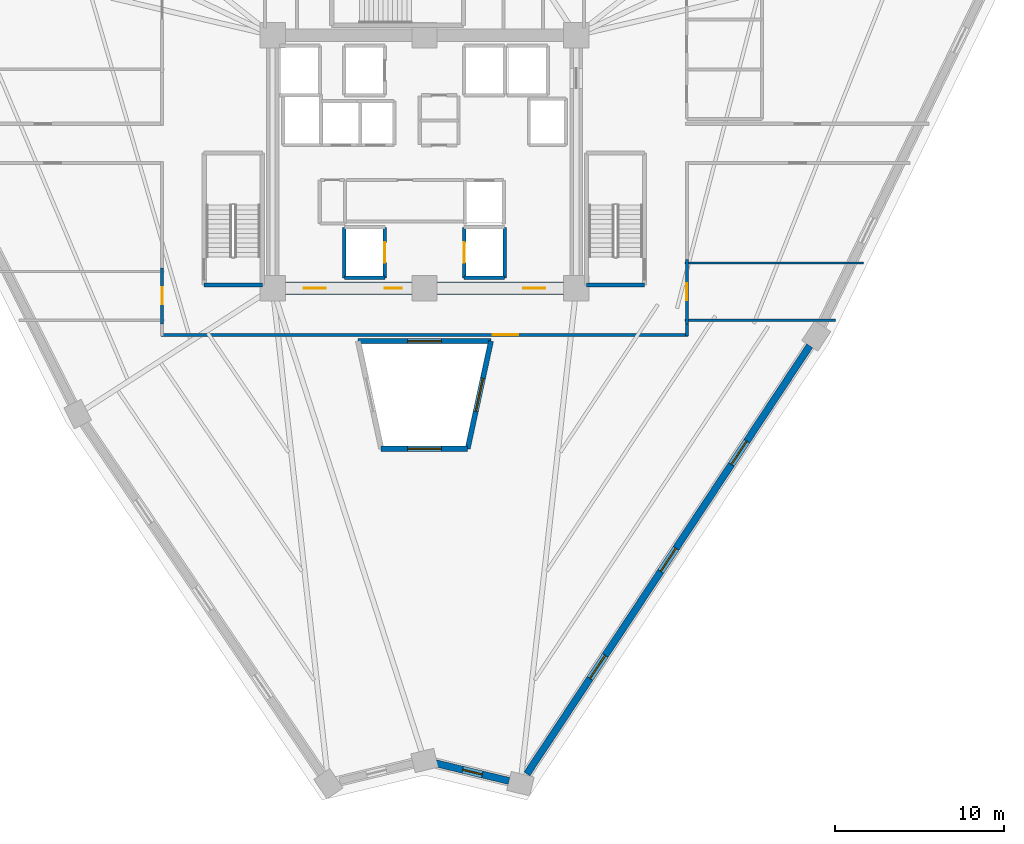
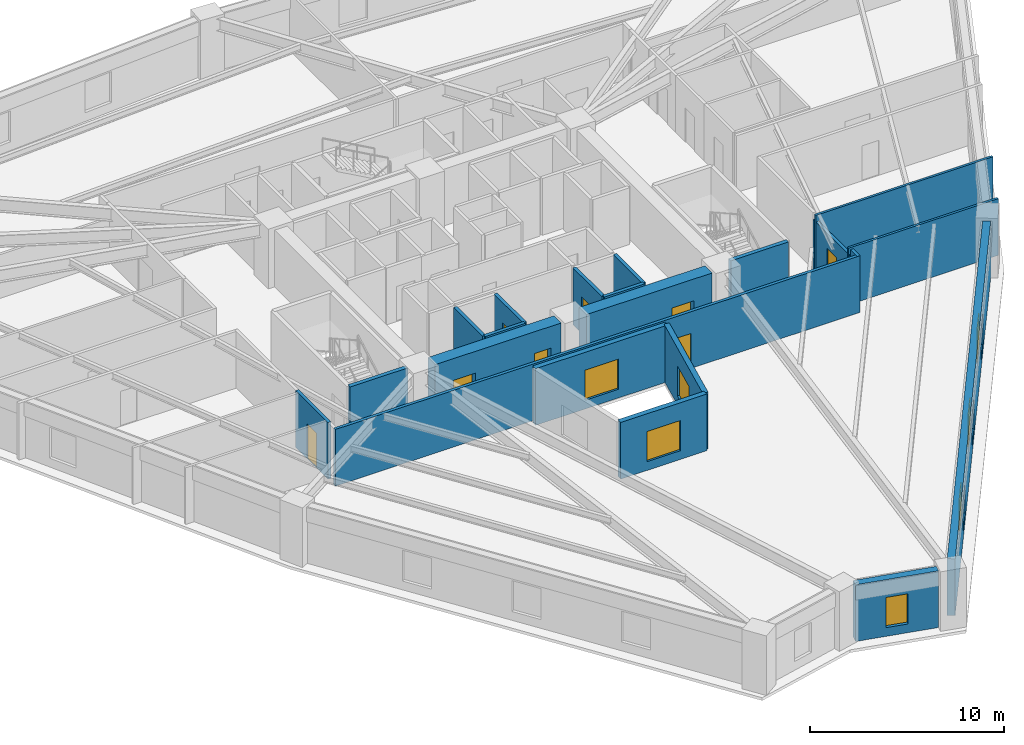
# One storey, part 3 of 8: 21 walls, 8 doors, 7 windows, 15 openings.
"""IFC4 building model written with IfcOpenShell, lengths in metres."""

from ifc_helpers import new_model, si_unit, direction, frame, frame_2d, origin, place, context, subcontext, project, spatial, rectangle, extrude, source, transform, mapped, material, layer, layer_set, type_object, element, fill, save


model = new_model("IFC4")

# Units and contexts
model_context = context("Model", 3, precision=1e-05, world=origin(), true_north=direction((0.0, 1.0)))
body_context = subcontext(model_context, "Body", "Model", "MODEL_VIEW")
ifc_project = project(units=[si_unit("LENGTHUNIT", "METRE"), si_unit("AREAUNIT", "SQUARE_METRE"), si_unit("VOLUMEUNIT", "CUBIC_METRE"), si_unit("PLANEANGLEUNIT", "RADIAN"), si_unit("MASSUNIT", "GRAM", prefix="KILO")], contexts=[model_context])

# Site, building, storey
site_placement = place(None, origin())
site = spatial("IfcSite", under=ifc_project, at=site_placement, CompositionType="ELEMENT")
building_placement = place(site_placement, origin())
building = spatial("IfcBuilding", under=site, at=building_placement, Name="Liaohun Quay Tower", CompositionType="ELEMENT")
storey_placement = place(building_placement, frame((0.0, 0.0, 170.25)))
storey = spatial("IfcBuildingStorey", under=building, at=storey_placement, Name="L44", CompositionType="ELEMENT", Elevation=170.25)

# Wall, opening, window
ifc_material_1 = material(Name="Concrete C50", Category="concrete")
ifc_layer_1 = layer(ifc_material_1, 0.300048828125, Name="Concrete C50", Category="concrete")
ifc_layer_set_1 = layer_set([ifc_layer_1], Name="Concrete C50")
wall_type_1 = type_object("IfcWallType", Name="WAL-ATR-300", PredefinedType="SOLIDWALL", material=ifc_layer_set_1)
wall_1_placement = place(storey_placement, frame((56.054931640625, 43.3701171875, 0.0), z_axis=(0.0, 0.0, 1.0), x_axis=(1.0, 0.0, 0.0)))
wall_1 = element("IfcWall", 1, at=wall_1_placement, inside=storey, type_object=wall_type_1, Name="L44 Atrium Fire Compartment Wall 2", PredefinedType="SOLIDWALL", context=body_context, shape_type="SweptSolid", body=[
    extrude(rectangle(XDim=7.89013671875, YDim=0.300048828125, at=frame_2d((3.945068359375, 0.0))), origin(), (0.0, 0.0, 1.0), 3.570068359375),
])
shared_shape_1 = source(origin(), body_context, "Body", "SweptSolid", [
    extrude(rectangle(XDim=2.0, YDim=1.89990234375, at=frame_2d((1.0, 0.949951171875))), frame((0.0, 0.159912109375, 0.0), z_axis=(0.0, -1.0, 0.0), x_axis=(1.0, 0.0, 0.0)), (0.0, 0.0, 1.0), 0.320068359375),
])
opening_1_placement = place(wall_1_placement, frame((2.945068359375, 0.0, 0.550048828125)))
opening_1 = element("IfcOpeningElement", 2, at=opening_1_placement, cuts=wall_1, Name="Opening W07", PredefinedType="OPENING", context=body_context, shape_type="MappedRepresentation", body=[
    mapped(shared_shape_1, transform((0.0, 0.0, 0.0), x_axis=(1.0, 0.0, 0.0), y_axis=(0.0, 1.0, 0.0), z_axis=(0.0, 0.0, 1.0), scale=1.0)),
])
ifc_material_2 = material(Name="Class A 180-min fire-resistant insulated glazing", Category="glass")
window_type_1 = type_object("IfcWindowType", Name="WIN-ATR-FIR", PartitioningType="DOUBLE_PANEL_VERTICAL", PredefinedType="WINDOW", material=ifc_material_2)
shared_shape_2 = source(origin(), body_context, "Body", "SweptSolid", [
    extrude(rectangle(XDim=2.0, YDim=1.89990234375, at=frame_2d((1.0, 0.949951171875))), frame((0.0, 0.030029296875, 0.0), z_axis=(0.0, -1.0, 0.0), x_axis=(1.0, 0.0, 0.0)), (0.0, 0.0, 1.0), 0.06005859375),
])
window_1_placement = place(opening_1_placement, origin())
window_1 = element("IfcWindow", 3, at=window_1_placement, inside=storey, type_object=window_type_1, Name="L44 Atrium Fire-Resistant Glazing W07-2", OverallHeight=1.89990234375, OverallWidth=2.0, PartitioningType="DOUBLE_PANEL_VERTICAL", PredefinedType="WINDOW", context=body_context, shape_type="MappedRepresentation", body=[
    mapped(shared_shape_2, transform((0.0, 0.0, 0.0), x_axis=(1.0, 0.0, 0.0), y_axis=(0.0, 1.0, 0.0), z_axis=(0.0, 0.0, 1.0), scale=1.0)),
])
fill(opening_1, window_1)

wall_2_placement = place(storey_placement, frame((63.945068359375, 43.3701171875, 0.0), z_axis=(0.0, 0.0, 1.0), x_axis=(-0.211414812525, -0.977396427784, 0.0)))
wall_2 = element("IfcWall", 4, at=wall_2_placement, inside=storey, type_object=wall_type_1, Name="L44 Atrium Fire Compartment Wall 3", PredefinedType="SOLIDWALL", context=body_context, shape_type="SweptSolid", body=[
    extrude(rectangle(XDim=6.53271484375, YDim=0.300048828125, at=frame_2d((3.266357421875, 0.0))), origin(), (0.0, 0.0, 1.0), 3.570068359375),
])
opening_2_placement = place(wall_2_placement, frame((2.26611328125, 0.0, 0.550048828125)))
opening_2 = element("IfcOpeningElement", 5, at=opening_2_placement, cuts=wall_2, Name="Opening W07", PredefinedType="OPENING", context=body_context, shape_type="MappedRepresentation", body=[
    mapped(shared_shape_1, transform((0.0, 0.0, 0.0), x_axis=(1.0, 0.0, 0.0), y_axis=(0.0, 1.0, 0.0), z_axis=(0.0, 0.0, 1.0), scale=1.0)),
])
window_2_placement = place(opening_2_placement, origin())
window_2 = element("IfcWindow", 6, at=window_2_placement, inside=storey, type_object=window_type_1, Name="L44 Atrium Fire-Resistant Glazing W07-3", OverallHeight=1.89990234375, OverallWidth=2.0, PartitioningType="DOUBLE_PANEL_VERTICAL", PredefinedType="WINDOW", context=body_context, shape_type="MappedRepresentation", body=[
    mapped(shared_shape_2, transform((0.0, 0.0, 0.0), x_axis=(1.0, 0.0, 0.0), y_axis=(0.0, 1.0, 0.0), z_axis=(0.0, 0.0, 1.0), scale=1.0)),
])
fill(opening_2, window_2)

wall_3_placement = place(storey_placement, frame((62.56396484375, 36.985107421875, 0.0), z_axis=(0.0, 0.0, 1.0), x_axis=(-1.0, 0.0, 0.0)))
wall_3 = element("IfcWall", 7, at=wall_3_placement, inside=storey, type_object=wall_type_1, Name="L44 Atrium Fire Compartment Wall 4", PredefinedType="SOLIDWALL", context=body_context, shape_type="SweptSolid", body=[
    extrude(rectangle(XDim=5.1279296875, YDim=0.300048828125, at=frame_2d((2.56396484375, 0.0))), origin(), (0.0, 0.0, 1.0), 3.570068359375),
])
opening_3_placement = place(wall_3_placement, frame((1.56396484375, 0.0, 0.550048828125)))
opening_3 = element("IfcOpeningElement", 8, at=opening_3_placement, cuts=wall_3, Name="Opening W07", PredefinedType="OPENING", context=body_context, shape_type="MappedRepresentation", body=[
    mapped(shared_shape_1, transform((0.0, 0.0, 0.0), x_axis=(1.0, 0.0, 0.0), y_axis=(0.0, 1.0, 0.0), z_axis=(0.0, 0.0, 1.0), scale=1.0)),
])
window_3_placement = place(opening_3_placement, origin())
window_3 = element("IfcWindow", 9, at=window_3_placement, inside=storey, type_object=window_type_1, Name="L44 Atrium Fire-Resistant Glazing W07-4", OverallHeight=1.89990234375, OverallWidth=2.0, PartitioningType="DOUBLE_PANEL_VERTICAL", PredefinedType="WINDOW", context=body_context, shape_type="MappedRepresentation", body=[
    mapped(shared_shape_2, transform((0.0, 0.0, 0.0), x_axis=(1.0, 0.0, 0.0), y_axis=(0.0, 1.0, 0.0), z_axis=(0.0, 0.0, 1.0), scale=1.0)),
])
fill(opening_3, window_3)

# Wall, opening, door
ifc_material_3 = material(Name="Concrete C60", Category="concrete")
ifc_layer_2 = layer(ifc_material_3, 0.75, Name="Concrete C60", Category="concrete")
ifc_layer_set_2 = layer_set([ifc_layer_2], Name="Concrete C60")
wall_type_2 = type_object("IfcWallType", Name="WAL-COR-Z2", PredefinedType="SHEAR", material=ifc_layer_set_2)
wall_4_placement = place(storey_placement, frame((68.25, 46.5, 0.0), z_axis=(0.0, 0.0, 1.0), x_axis=(-1.0, 0.0, 0.0)))
wall_4 = element("IfcWall", 10, at=wall_4_placement, inside=storey, type_object=wall_type_2, Name="L44 Central Core Shear Wall S-E", PredefinedType="SHEAR", context=body_context, shape_type="SweptSolid", body=[
    extrude(rectangle(XDim=7.5, YDim=0.75, at=frame_2d((3.75, 0.0))), origin(), (0.0, 0.0, 1.0), 3.570068359375),
])
shared_shape_3 = source(origin(), body_context, "Body", "SweptSolid", [
    extrude(rectangle(XDim=1.300048828125, YDim=2.199951171875, at=frame_2d((0.64990234375, 1.10009765625))), frame((0.0, 0.385009765625, 0.0), z_axis=(0.0, -1.0, 0.0), x_axis=(1.0, 0.0, 0.0)), (0.0, 0.0, 1.0), 0.77001953125),
])
opening_4_placement = place(wall_4_placement, frame((1.10009765625, 0.0, 0.0)))
opening_4 = element("IfcOpeningElement", 11, at=opening_4_placement, cuts=wall_4, Name="Opening FD1", PredefinedType="OPENING", context=body_context, shape_type="MappedRepresentation", body=[
    mapped(shared_shape_3, transform((0.0, 0.0, 0.0), x_axis=(1.0, 0.0, 0.0), y_axis=(0.0, 1.0, 0.0), z_axis=(0.0, 0.0, 1.0), scale=1.0)),
])
ifc_material_4 = material(Name="Galvanised steel smokeproof fire door", Category="steel")
door_type_1 = type_object("IfcDoorType", Name="DOR-FFL-1300", OperationType="NOTDEFINED", PredefinedType="DOOR", material=ifc_material_4)
shared_shape_4 = source(origin(), body_context, "Body", "SweptSolid", [
    extrude(rectangle(XDim=1.300048828125, YDim=2.199951171875, at=frame_2d((0.64990234375, 1.10009765625))), frame((0.0, 0.02490234375, 0.0), z_axis=(0.0, -1.0, 0.0), x_axis=(1.0, 0.0, 0.0)), (0.0, 0.0, 1.0), 0.050048828125),
])
door_1_placement = place(opening_4_placement, origin())
door_1 = element("IfcDoor", 12, at=door_1_placement, inside=storey, type_object=door_type_1, Name="L44 East Core Lift Lobby Smokeproof Door", OperationType="SINGLE_SWING_LEFT", OverallHeight=2.199951171875, OverallWidth=1.300048828125, PredefinedType="DOOR", context=body_context, shape_type="MappedRepresentation", body=[
    mapped(shared_shape_4, transform((0.0, 0.0, 0.0), x_axis=(1.0, 0.0, 0.0), y_axis=(0.0, 1.0, 0.0), z_axis=(0.0, 0.0, 1.0), scale=1.0)),
])
fill(opening_4, door_1)

# Wall, openings, doors
wall_5_placement = place(storey_placement, frame((59.25, 46.5, 0.0), z_axis=(0.0, 0.0, 1.0), x_axis=(-1.0, 0.0, 0.0)))
wall_5 = element("IfcWall", 13, at=wall_5_placement, inside=storey, type_object=wall_type_2, Name="L44 Central Core Shear Wall S-W", PredefinedType="SHEAR", context=body_context, shape_type="SweptSolid", body=[
    extrude(rectangle(XDim=7.5, YDim=0.75, at=frame_2d((3.75, 0.0))), origin(), (0.0, 0.0, 1.0), 3.570068359375),
])
opening_5_placement = place(wall_5_placement, frame((5.10009765625, 0.0, 0.0)))
opening_5 = element("IfcOpeningElement", 14, at=opening_5_placement, cuts=wall_5, Name="Opening FD1", PredefinedType="OPENING", context=body_context, shape_type="MappedRepresentation", body=[
    mapped(shared_shape_3, transform((0.0, 0.0, 0.0), x_axis=(1.0, 0.0, 0.0), y_axis=(0.0, 1.0, 0.0), z_axis=(0.0, 0.0, 1.0), scale=1.0)),
])
shared_shape_5 = source(origin(), body_context, "Body", "SweptSolid", [
    extrude(rectangle(XDim=1.0, YDim=2.199951171875, at=frame_2d((0.5, 1.10009765625))), frame((0.0, 0.385009765625, 0.0), z_axis=(0.0, -1.0, 0.0), x_axis=(1.0, 0.0, 0.0)), (0.0, 0.0, 1.0), 0.77001953125),
])
opening_6_placement = place(wall_5_placement, frame((0.60009765625, 0.0, 0.0)))
opening_6 = element("IfcOpeningElement", 15, at=opening_6_placement, cuts=wall_5, Name="Opening FD2", PredefinedType="OPENING", context=body_context, shape_type="MappedRepresentation", body=[
    mapped(shared_shape_5, transform((0.0, 0.0, 0.0), x_axis=(1.0, 0.0, 0.0), y_axis=(0.0, 1.0, 0.0), z_axis=(0.0, 0.0, 1.0), scale=1.0)),
])
door_2_placement = place(opening_5_placement, origin())
door_2 = element("IfcDoor", 16, at=door_2_placement, inside=storey, type_object=door_type_1, Name="L44 West Core Lift Lobby Smokeproof Door", OperationType="SINGLE_SWING_RIGHT", OverallHeight=2.199951171875, OverallWidth=1.300048828125, PredefinedType="DOOR", context=body_context, shape_type="MappedRepresentation", body=[
    mapped(shared_shape_4, transform((0.0, 0.0, 0.0), x_axis=(1.0, 0.0, 0.0), y_axis=(0.0, 1.0, 0.0), z_axis=(0.0, 0.0, 1.0), scale=1.0)),
])
fill(opening_5, door_2)
ifc_material_5 = material(Name="Galvanised steel smokeproof lobby fire door", Category="steel")
door_type_2 = type_object("IfcDoorType", Name="DOR-FFL-1000", OperationType="NOTDEFINED", PredefinedType="DOOR", material=ifc_material_5)
shared_shape_6 = source(origin(), body_context, "Body", "SweptSolid", [
    extrude(rectangle(XDim=1.0, YDim=2.199951171875, at=frame_2d((0.5, 1.10009765625))), frame((0.0, 0.02490234375, 0.0), z_axis=(0.0, -1.0, 0.0), x_axis=(1.0, 0.0, 0.0)), (0.0, 0.0, 1.0), 0.050048828125),
])
door_3_placement = place(opening_6_placement, origin())
door_3 = element("IfcDoor", 17, at=door_3_placement, inside=storey, type_object=door_type_2, Name="L44 South Firefighting Lobby Smokeproof Door", OperationType="SINGLE_SWING_LEFT", OverallHeight=2.199951171875, OverallWidth=1.0, PredefinedType="DOOR", context=body_context, shape_type="MappedRepresentation", body=[
    mapped(shared_shape_6, transform((0.0, 0.0, 0.0), x_axis=(1.0, 0.0, 0.0), y_axis=(0.0, 1.0, 0.0), z_axis=(0.0, 0.0, 1.0), scale=1.0)),
])
fill(opening_6, door_3)

# Wall, opening, window
ifc_material_6 = material(Name="Precast concrete C50 insulated sandwich", Category="concrete")
ifc_layer_3 = layer(ifc_material_6, 0.419921875, Name="Precast concrete C50 insulated sandwich", Category="concrete")
ifc_layer_set_3 = layer_set([ifc_layer_3], Name="Precast concrete C50 insulated sandwich")
wall_type_3 = type_object("IfcWallType", Name="WAL-EXT-Z12", PredefinedType="SOLIDWALL", material=ifc_layer_set_3)
wall_6_placement = place(storey_placement, frame((60.6708984375, 18.3359375, 0.0), z_axis=(0.0, 0.0, 1.0), x_axis=(0.972043157931, -0.234802255353, 0.0)))
wall_6 = element("IfcWall", 18, at=wall_6_placement, inside=storey, type_object=wall_type_3, Name="L44 Brutalist Precast Pier Wall 01", PredefinedType="SOLIDWALL", context=body_context, shape_type="SweptSolid", body=[
    extrude(rectangle(XDim=4.476318359375, YDim=0.419921875, at=frame_2d((2.23828125, 0.0))), origin(), (0.0, 0.0, 1.0), 3.570068359375),
])
shared_shape_7 = source(origin(), body_context, "Body", "SweptSolid", [
    extrude(rectangle(XDim=1.199951171875, YDim=1.89990234375, at=frame_2d((0.60009765625, 0.949951171875))), frame((0.0, 0.219970703125, 0.0), z_axis=(0.0, -1.0, 0.0), x_axis=(1.0, 0.0, 0.0)), (0.0, 0.0, 1.0), 0.43994140625),
])
opening_7_placement = place(wall_6_placement, frame((1.637939453125, 0.0, 0.550048828125)))
opening_7 = element("IfcOpeningElement", 19, at=opening_7_placement, cuts=wall_6, Name="Opening W05", PredefinedType="OPENING", context=body_context, shape_type="MappedRepresentation", body=[
    mapped(shared_shape_7, transform((0.0, 0.0, 0.0), x_axis=(1.0, 0.0, 0.0), y_axis=(0.0, 1.0, 0.0), z_axis=(0.0, 0.0, 1.0), scale=1.0)),
])
ifc_material_7 = material(Name="Triple Low-E corner notch glazing", Category="glass")
window_type_2 = type_object("IfcWindowType", Name="WIN-NOTCH", PartitioningType="SINGLE_PANEL", PredefinedType="WINDOW", material=ifc_material_7)
shared_shape_8 = source(origin(), body_context, "Body", "SweptSolid", [
    extrude(rectangle(XDim=1.199951171875, YDim=1.89990234375, at=frame_2d((0.60009765625, 0.949951171875))), frame((0.0, 0.030029296875, 0.0), z_axis=(0.0, -1.0, 0.0), x_axis=(1.0, 0.0, 0.0)), (0.0, 0.0, 1.0), 0.06005859375),
])
window_4_placement = place(opening_7_placement, origin())
window_4 = element("IfcWindow", 20, at=window_4_placement, inside=storey, type_object=window_type_2, Name="L44 Corner Notch Window W05-01", OverallHeight=1.89990234375, OverallWidth=1.199951171875, PartitioningType="SINGLE_PANEL", PredefinedType="WINDOW", context=body_context, shape_type="MappedRepresentation", body=[
    mapped(shared_shape_8, transform((0.0, 0.0, 0.0), x_axis=(1.0, 0.0, 0.0), y_axis=(0.0, 1.0, 0.0), z_axis=(0.0, 0.0, 1.0), scale=1.0)),
])
fill(opening_7, window_4)

# Wall, openings, windows
wall_7_placement = place(storey_placement, frame((66.072998046875, 17.698974609375, 0.0), z_axis=(0.0, 0.0, 1.0), x_axis=(0.551232339882, 0.834351788796, 0.0)))
wall_7 = element("IfcWall", 21, at=wall_7_placement, inside=storey, type_object=wall_type_3, Name="L44 Brutalist Precast Pier Wall 02", PredefinedType="SOLIDWALL", context=body_context, shape_type="SweptSolid", body=[
    extrude(rectangle(XDim=30.439208984375, YDim=0.419921875, at=frame_2d((15.2197265625, 0.0))), origin(), (0.0, 0.0, 1.0), 3.570068359375),
])
shared_shape_9 = source(origin(), body_context, "Body", "SweptSolid", [
    extrude(rectangle(XDim=1.64990234375, YDim=1.949951171875, at=frame_2d((0.824951171875, 0.97509765625))), frame((0.0, 0.219970703125, 0.0), z_axis=(0.0, -1.0, 0.0), x_axis=(1.0, 0.0, 0.0)), (0.0, 0.0, 1.0), 0.43994140625),
])
opening_8_placement = place(wall_7_placement, frame((6.784912109375, 0.0, 0.550048828125)))
opening_8 = element("IfcOpeningElement", 22, at=opening_8_placement, cuts=wall_7, Name="Opening W02", PredefinedType="OPENING", context=body_context, shape_type="MappedRepresentation", body=[
    mapped(shared_shape_9, transform((0.0, 0.0, 0.0), x_axis=(1.0, 0.0, 0.0), y_axis=(0.0, 1.0, 0.0), z_axis=(0.0, 0.0, 1.0), scale=1.0)),
])
opening_9_placement = place(wall_7_placement, frame((14.39501953125, 0.0, 0.550048828125)))
opening_9 = element("IfcOpeningElement", 23, at=opening_9_placement, cuts=wall_7, Name="Opening W02", PredefinedType="OPENING", context=body_context, shape_type="MappedRepresentation", body=[
    mapped(shared_shape_9, transform((0.0, 0.0, 0.0), x_axis=(1.0, 0.0, 0.0), y_axis=(0.0, 1.0, 0.0), z_axis=(0.0, 0.0, 1.0), scale=1.0)),
])
opening_10_placement = place(wall_7_placement, frame((22.00390625, 0.0, 0.550048828125)))
opening_10 = element("IfcOpeningElement", 24, at=opening_10_placement, cuts=wall_7, Name="Opening W02", PredefinedType="OPENING", context=body_context, shape_type="MappedRepresentation", body=[
    mapped(shared_shape_9, transform((0.0, 0.0, 0.0), x_axis=(1.0, 0.0, 0.0), y_axis=(0.0, 1.0, 0.0), z_axis=(0.0, 0.0, 1.0), scale=1.0)),
])
ifc_material_8 = material(Name="Triple Low-E argon glazing in thermally broken aluminium", Category="aluminium")
window_type_3 = type_object("IfcWindowType", Name="WIN-PUN-Z2", PartitioningType="DOUBLE_PANEL_VERTICAL", PredefinedType="WINDOW", material=ifc_material_8)
shared_shape_10 = source(origin(), body_context, "Body", "SweptSolid", [
    extrude(rectangle(XDim=1.64990234375, YDim=1.949951171875, at=frame_2d((0.824951171875, 0.97509765625))), frame((0.0, 0.030029296875, 0.0), z_axis=(0.0, -1.0, 0.0), x_axis=(1.0, 0.0, 0.0)), (0.0, 0.0, 1.0), 0.06005859375),
])
window_5_placement = place(opening_8_placement, origin())
window_5 = element("IfcWindow", 25, at=window_5_placement, inside=storey, type_object=window_type_3, Name="L44 Recessed Cold-Climate Punched Window 02-1", OverallHeight=1.949951171875, OverallWidth=1.64990234375, PartitioningType="DOUBLE_PANEL_VERTICAL", PredefinedType="WINDOW", context=body_context, shape_type="MappedRepresentation", body=[
    mapped(shared_shape_10, transform((0.0, 0.0, 0.0), x_axis=(1.0, 0.0, 0.0), y_axis=(0.0, 1.0, 0.0), z_axis=(0.0, 0.0, 1.0), scale=1.0)),
])
fill(opening_8, window_5)
window_6_placement = place(opening_9_placement, origin())
window_6 = element("IfcWindow", 26, at=window_6_placement, inside=storey, type_object=window_type_3, Name="L44 Recessed Cold-Climate Punched Window 02-2", OverallHeight=1.949951171875, OverallWidth=1.64990234375, PartitioningType="DOUBLE_PANEL_VERTICAL", PredefinedType="WINDOW", context=body_context, shape_type="MappedRepresentation", body=[
    mapped(shared_shape_10, transform((0.0, 0.0, 0.0), x_axis=(1.0, 0.0, 0.0), y_axis=(0.0, 1.0, 0.0), z_axis=(0.0, 0.0, 1.0), scale=1.0)),
])
fill(opening_9, window_6)
window_7_placement = place(opening_10_placement, origin())
window_7 = element("IfcWindow", 27, at=window_7_placement, inside=storey, type_object=window_type_3, Name="L44 Recessed Cold-Climate Punched Window 02-3", OverallHeight=1.949951171875, OverallWidth=1.64990234375, PartitioningType="DOUBLE_PANEL_VERTICAL", PredefinedType="WINDOW", context=body_context, shape_type="MappedRepresentation", body=[
    mapped(shared_shape_10, transform((0.0, 0.0, 0.0), x_axis=(1.0, 0.0, 0.0), y_axis=(0.0, 1.0, 0.0), z_axis=(0.0, 0.0, 1.0), scale=1.0)),
])
fill(opening_10, window_7)

# Wall, opening, door
ifc_material_9 = material(Name="Autoclaved aerated concrete blockwork", Category="masonry")
ifc_layer_4 = layer(ifc_material_9, 0.179931640625, Name="Autoclaved aerated concrete blockwork", Category="masonry")
ifc_layer_set_4 = layer_set([ifc_layer_4], Name="Autoclaved aerated concrete blockwork")
wall_type_4 = type_object("IfcWallType", Name="WAL-PRT-COR", PredefinedType="PARTITIONING", material=ifc_layer_set_4)
wall_8_placement = place(storey_placement, frame((44.43994140625, 44.385009765625, 0.0), z_axis=(0.0, 0.0, 1.0), x_axis=(0.0, 1.0, 0.0)))
wall_8 = element("IfcWall", 28, at=wall_8_placement, inside=storey, type_object=wall_type_4, Name="L44 Interior Partition Wall 021", PredefinedType="PARTITIONING", context=body_context, shape_type="SweptSolid", body=[
    extrude(rectangle(XDim=3.330078125, YDim=0.179931640625, at=frame_2d((1.6650390625, 0.0))), origin(), (0.0, 0.0, 1.0), 3.570068359375),
])
shared_shape_11 = source(origin(), body_context, "Body", "SweptSolid", [
    extrude(rectangle(XDim=1.0, YDim=2.199951171875, at=frame_2d((0.5, 1.10009765625))), frame((0.0, 0.099853515625, 0.0), z_axis=(0.0, -1.0, 0.0), x_axis=(1.0, 0.0, 0.0)), (0.0, 0.0, 1.0), 0.199951171875),
])
opening_11_placement = place(wall_8_placement, frame((1.1650390625, 0.0, 0.0)))
opening_11 = element("IfcOpeningElement", 29, at=opening_11_placement, cuts=wall_8, Name="Opening OD1", PredefinedType="OPENING", context=body_context, shape_type="MappedRepresentation", body=[
    mapped(shared_shape_11, transform((0.0, 0.0, 0.0), x_axis=(1.0, 0.0, 0.0), y_axis=(0.0, 1.0, 0.0), z_axis=(0.0, 0.0, 1.0), scale=1.0)),
])
ifc_material_10 = material(Name="Solid-core oak veneer timber leaf in steel frame", Category="steel")
door_type_3 = type_object("IfcDoorType", Name="DOR-OFF-1000", OperationType="NOTDEFINED", PredefinedType="DOOR", material=ifc_material_10)
door_4_placement = place(opening_11_placement, origin())
door_4 = element("IfcDoor", 30, at=door_4_placement, inside=storey, type_object=door_type_3, Name="L44 Technical Reference Library 07 Door", OperationType="SINGLE_SWING_RIGHT", OverallHeight=2.199951171875, OverallWidth=1.0, PredefinedType="DOOR", context=body_context, shape_type="MappedRepresentation", body=[
    mapped(shared_shape_6, transform((0.0, 0.0, 0.0), x_axis=(1.0, 0.0, 0.0), y_axis=(0.0, 1.0, 0.0), z_axis=(0.0, 0.0, 1.0), scale=1.0)),
])
fill(opening_11, door_4)

wall_9_placement = place(storey_placement, frame((75.6298828125, 43.739990234375, 0.0), z_axis=(0.0, 0.0, 1.0), x_axis=(-1.0, 0.0, 0.0)))
wall_9 = element("IfcWall", 31, at=wall_9_placement, inside=storey, type_object=wall_type_4, Name="L44 Interior Partition Wall 022", PredefinedType="PARTITIONING", context=body_context, shape_type="SweptSolid", body=[
    extrude(rectangle(XDim=31.259765625, YDim=0.179931640625, at=frame_2d((15.6298828125, 0.0))), origin(), (0.0, 0.0, 1.0), 3.570068359375),
])
shared_shape_12 = source(origin(), body_context, "Body", "SweptSolid", [
    extrude(rectangle(XDim=1.5, YDim=2.199951171875, at=frame_2d((0.75, 1.10009765625))), frame((0.0, 0.099853515625, 0.0), z_axis=(0.0, -1.0, 0.0), x_axis=(1.0, 0.0, 0.0)), (0.0, 0.0, 1.0), 0.199951171875),
])
opening_12_placement = place(wall_9_placement, frame((10.080078125, 0.0, 0.0)))
opening_12 = element("IfcOpeningElement", 32, at=opening_12_placement, cuts=wall_9, Name="Opening OD2", PredefinedType="OPENING", context=body_context, shape_type="MappedRepresentation", body=[
    mapped(shared_shape_12, transform((0.0, 0.0, 0.0), x_axis=(1.0, 0.0, 0.0), y_axis=(0.0, 1.0, 0.0), z_axis=(0.0, 0.0, 1.0), scale=1.0)),
])
ifc_material_11 = material(Name="Acoustic oak veneer double door")
door_type_4 = type_object("IfcDoorType", Name="DOR-OFF-1500", OperationType="DOUBLE_DOOR_SINGLE_SWING", PredefinedType="DOOR", material=ifc_material_11)
shared_shape_13 = source(origin(), body_context, "Body", "SweptSolid", [
    extrude(rectangle(XDim=1.5, YDim=2.199951171875, at=frame_2d((0.75, 1.10009765625))), frame((0.0, 0.02490234375, 0.0), z_axis=(0.0, -1.0, 0.0), x_axis=(1.0, 0.0, 0.0)), (0.0, 0.0, 1.0), 0.050048828125),
])
door_5_placement = place(opening_12_placement, origin())
door_5 = element("IfcDoor", 33, at=door_5_placement, inside=storey, type_object=door_type_4, Name="L44 Corporate Exhibition Gallery 08 Door", OperationType="DOUBLE_DOOR_SINGLE_SWING", OverallHeight=2.199951171875, OverallWidth=1.5, PredefinedType="DOOR", context=body_context, shape_type="MappedRepresentation", body=[
    mapped(shared_shape_13, transform((0.0, 0.0, 0.0), x_axis=(1.0, 0.0, 0.0), y_axis=(0.0, 1.0, 0.0), z_axis=(0.0, 0.0, 1.0), scale=1.0)),
])
fill(opening_12, door_5)

wall_10_placement = place(storey_placement, frame((75.56005859375, 48.215087890625, 0.0), z_axis=(0.0, 0.0, 1.0), x_axis=(0.0, -1.0, 0.0)))
wall_10 = element("IfcWall", 34, at=wall_10_placement, inside=storey, type_object=wall_type_4, Name="L44 Interior Partition Wall 023", PredefinedType="PARTITIONING", context=body_context, shape_type="SweptSolid", body=[
    extrude(rectangle(XDim=3.830078125, YDim=0.179931640625, at=frame_2d((1.9150390625, 0.0))), origin(), (0.0, 0.0, 1.0), 3.155029296875),
])
opening_13_placement = place(wall_10_placement, frame((1.4150390625, 0.0, 0.0)))
opening_13 = element("IfcOpeningElement", 35, at=opening_13_placement, cuts=wall_10, Name="Opening OD1", PredefinedType="OPENING", context=body_context, shape_type="MappedRepresentation", body=[
    mapped(shared_shape_11, transform((0.0, 0.0, 0.0), x_axis=(1.0, 0.0, 0.0), y_axis=(0.0, 1.0, 0.0), z_axis=(0.0, 0.0, 1.0), scale=1.0)),
])
door_6_placement = place(opening_13_placement, origin())
door_6 = element("IfcDoor", 36, at=door_6_placement, inside=storey, type_object=door_type_3, Name="L44 Records Archive Store 09 Door", OperationType="SINGLE_SWING_RIGHT", OverallHeight=2.199951171875, OverallWidth=1.0, PredefinedType="DOOR", context=body_context, shape_type="MappedRepresentation", body=[
    mapped(shared_shape_6, transform((0.0, 0.0, 0.0), x_axis=(1.0, 0.0, 0.0), y_axis=(0.0, 1.0, 0.0), z_axis=(0.0, 0.0, 1.0), scale=1.0)),
])
fill(opening_13, door_6)

# Walls
wall_11_placement = place(storey_placement, frame((75.56005859375, 44.385009765625, 0.0), z_axis=(0.0, 0.0, 1.0), x_axis=(0.0, -1.0, 0.0)))
element("IfcWall", 37, at=wall_11_placement, inside=storey, type_object=wall_type_4, Name="L44 Interior Partition Wall 047", PredefinedType="PARTITIONING", context=body_context, shape_type="SweptSolid", body=[
    extrude(rectangle(XDim=0.715087890625, YDim=0.179931640625, at=frame_2d((0.357421875, 0.0))), origin(), (0.0, 0.0, 1.0), 3.570068359375),
])
ifc_material_12 = material(Name="Gypsum board on twin steel studs", Category="steel")
ifc_layer_5 = layer(ifc_material_12, 0.139892578125, Name="Gypsum board on twin steel studs", Category="steel")
ifc_layer_set_5 = layer_set([ifc_layer_5], Name="Gypsum board on twin steel studs")
wall_type_5 = type_object("IfcWallType", Name="WAL-PRT-OFF", PredefinedType="PARTITIONING", material=ifc_layer_set_5)
wall_12_placement = place(storey_placement, frame((75.4599609375, 44.60009765625, 0.0), z_axis=(0.0, 0.0, 1.0), x_axis=(1.0, 0.0, 0.0)))
element("IfcWall", 38, at=wall_12_placement, inside=storey, type_object=wall_type_5, Name="L44 Interior Partition Wall 053", PredefinedType="PARTITIONING", context=body_context, shape_type="SweptSolid", body=[
    extrude(rectangle(XDim=8.922119140625, YDim=0.139892578125, at=frame_2d((4.4609375, 0.0))), origin(), (0.0, 0.0, 1.0), 3.570068359375),
])
wall_13_placement = place(storey_placement, frame((75.4599609375, 48.0, 0.0), z_axis=(0.0, 0.0, 1.0), x_axis=(1.0, 0.0, 0.0)))
element("IfcWall", 39, at=wall_13_placement, inside=storey, type_object=wall_type_5, Name="L44 Interior Partition Wall 054", PredefinedType="PARTITIONING", context=body_context, shape_type="SweptSolid", body=[
    extrude(rectangle(XDim=10.571044921875, YDim=0.139892578125, at=frame_2d((5.28564453125, 0.0))), origin(), (0.0, 0.0, 1.0), 3.570068359375),
])
ifc_layer_6 = layer(ifc_material_1, 0.239990234375, Name="Concrete C50", Category="concrete")
ifc_layer_set_6 = layer_set([ifc_layer_6], Name="Concrete C50")
wall_type_6 = type_object("IfcWallType", Name="WAL-SHF-200", PredefinedType="SOLIDWALL", material=ifc_layer_set_6)
for number, where, z_axis, x_axis, name in (
    (40, (46.93994140625, 46.699951171875, 0.0), (0.0, 0.0, 1.0), (1.0, 0.0, 0.0), "L44 Stairwell ST-1 Structural Core Wall S"),
    (41, (69.6201171875, 46.699951171875, 0.0), (0.0, 0.0, 1.0), (1.0, 0.0, 0.0), "L44 Stairwell ST-2 Structural Core Wall S"),
):
    element("IfcWall", number, at=place(storey_placement, frame(where, z_axis=z_axis, x_axis=x_axis)), inside=storey, type_object=wall_type_6, Name=name, PredefinedType="SOLIDWALL", context=body_context, shape_type="SweptSolid", body=[
        extrude(rectangle(XDim=3.43994140625, YDim=0.239990234375, at=frame_2d((1.719970703125, 0.0))), origin(), (0.0, 0.0, 1.0), 3.570068359375),
    ])
wall_14_placement = place(storey_placement, frame((55.25, 47.1201171875, 0.0), z_axis=(0.0, 0.0, 1.0), x_axis=(1.0, 0.0, 0.0)))
element("IfcWall", 42, at=wall_14_placement, inside=storey, type_object=wall_type_6, Name="L44 Lift FF-01 Hoistway Wall S", PredefinedType="SOLIDWALL", context=body_context, shape_type="SweptSolid", body=[
    extrude(rectangle(XDim=2.39990234375, YDim=0.199951171875, at=frame_2d((1.199951171875, 0.0))), origin(), (0.0, 0.0, 1.0), 3.570068359375),
])

# Wall, opening, door
wall_15_placement = place(storey_placement, frame((57.64990234375, 47.1201171875, 0.0), z_axis=(0.0, 0.0, 1.0), x_axis=(0.0, 1.0, 0.0)))
wall_15 = element("IfcWall", 43, at=wall_15_placement, inside=storey, type_object=wall_type_6, Name="L44 Lift FF-01 Hoistway Wall E", PredefinedType="SOLIDWALL", context=body_context, shape_type="SweptSolid", body=[
    extrude(rectangle(XDim=3.0, YDim=0.199951171875, at=frame_2d((1.5, 0.0))), origin(), (0.0, 0.0, 1.0), 3.570068359375),
])
shared_shape_14 = source(origin(), body_context, "Body", "SweptSolid", [
    extrude(rectangle(XDim=1.199951171875, YDim=2.300048828125, at=frame_2d((0.60009765625, 1.14990234375))), frame((0.0, 0.10986328125, 0.0), z_axis=(0.0, -1.0, 0.0), x_axis=(1.0, 0.0, 0.0)), (0.0, 0.0, 1.0), 0.219970703125),
])
opening_14_placement = place(wall_15_placement, frame((0.89990234375, 0.0, 0.0)))
opening_14 = element("IfcOpeningElement", 44, at=opening_14_placement, cuts=wall_15, Name="Opening LD2", PredefinedType="OPENING", context=body_context, shape_type="MappedRepresentation", body=[
    mapped(shared_shape_14, transform((0.0, 0.0, 0.0), x_axis=(1.0, 0.0, 0.0), y_axis=(0.0, 1.0, 0.0), z_axis=(0.0, 0.0, 1.0), scale=1.0)),
])
ifc_material_13 = material(Name="Brushed stainless steel stretcher landing door", Category="steel")
door_type_5 = type_object("IfcDoorType", Name="DOR-LFT-1200", OperationType="SLIDING_TO_LEFT", PredefinedType="DOOR", material=ifc_material_13)
shared_shape_15 = source(origin(), body_context, "Body", "SweptSolid", [
    extrude(rectangle(XDim=1.199951171875, YDim=2.300048828125, at=frame_2d((0.60009765625, 1.14990234375))), frame((0.0, 0.02490234375, 0.0), z_axis=(0.0, -1.0, 0.0), x_axis=(1.0, 0.0, 0.0)), (0.0, 0.0, 1.0), 0.050048828125),
])
door_7_placement = place(opening_14_placement, origin())
door_7 = element("IfcDoor", 45, at=door_7_placement, inside=storey, type_object=door_type_5, Name="L44 Lift FF-01 Sliding Landing Door", OperationType="SLIDING_TO_LEFT", OverallHeight=2.300048828125, OverallWidth=1.199951171875, PredefinedType="DOOR", context=body_context, shape_type="MappedRepresentation", body=[
    mapped(shared_shape_15, transform((0.0, 0.0, 0.0), x_axis=(1.0, 0.0, 0.0), y_axis=(0.0, 1.0, 0.0), z_axis=(0.0, 0.0, 1.0), scale=1.0)),
])
fill(opening_14, door_7)

# Walls
wall_16_placement = place(storey_placement, frame((55.25, 50.1201171875, 0.0), z_axis=(0.0, 0.0, 1.0), x_axis=(0.0, -1.0, 0.0)))
element("IfcWall", 46, at=wall_16_placement, inside=storey, type_object=wall_type_6, Name="L44 Lift FF-01 Hoistway Wall W", PredefinedType="SOLIDWALL", context=body_context, shape_type="SweptSolid", body=[
    extrude(rectangle(XDim=3.0, YDim=0.199951171875, at=frame_2d((1.5, 0.0))), origin(), (0.0, 0.0, 1.0), 3.570068359375),
])
wall_17_placement = place(storey_placement, frame((62.35009765625, 47.1201171875, 0.0), z_axis=(0.0, 0.0, 1.0), x_axis=(1.0, 0.0, 0.0)))
element("IfcWall", 47, at=wall_17_placement, inside=storey, type_object=wall_type_6, Name="L44 Lift FF-02 Hoistway Wall S", PredefinedType="SOLIDWALL", context=body_context, shape_type="SweptSolid", body=[
    extrude(rectangle(XDim=2.39990234375, YDim=0.199951171875, at=frame_2d((1.199951171875, 0.0))), origin(), (0.0, 0.0, 1.0), 3.570068359375),
])
wall_18_placement = place(storey_placement, frame((64.75, 47.1201171875, 0.0), z_axis=(0.0, 0.0, 1.0), x_axis=(0.0, 1.0, 0.0)))
element("IfcWall", 48, at=wall_18_placement, inside=storey, type_object=wall_type_6, Name="L44 Lift FF-02 Hoistway Wall E", PredefinedType="SOLIDWALL", context=body_context, shape_type="SweptSolid", body=[
    extrude(rectangle(XDim=3.0, YDim=0.199951171875, at=frame_2d((1.5, 0.0))), origin(), (0.0, 0.0, 1.0), 3.570068359375),
])

# Wall, opening, door
wall_19_placement = place(storey_placement, frame((62.35009765625, 50.1201171875, 0.0), z_axis=(0.0, 0.0, 1.0), x_axis=(0.0, -1.0, 0.0)))
wall_19 = element("IfcWall", 49, at=wall_19_placement, inside=storey, type_object=wall_type_6, Name="L44 Lift FF-02 Hoistway Wall W", PredefinedType="SOLIDWALL", context=body_context, shape_type="SweptSolid", body=[
    extrude(rectangle(XDim=3.0, YDim=0.199951171875, at=frame_2d((1.5, 0.0))), origin(), (0.0, 0.0, 1.0), 3.570068359375),
])
opening_15_placement = place(wall_19_placement, frame((0.89990234375, 0.0, 0.0)))
opening_15 = element("IfcOpeningElement", 50, at=opening_15_placement, cuts=wall_19, Name="Opening LD2", PredefinedType="OPENING", context=body_context, shape_type="MappedRepresentation", body=[
    mapped(shared_shape_14, transform((0.0, 0.0, 0.0), x_axis=(1.0, 0.0, 0.0), y_axis=(0.0, 1.0, 0.0), z_axis=(0.0, 0.0, 1.0), scale=1.0)),
])
door_8_placement = place(opening_15_placement, origin())
door_8 = element("IfcDoor", 51, at=door_8_placement, inside=storey, type_object=door_type_5, Name="L44 Lift FF-02 Sliding Landing Door", OperationType="SLIDING_TO_LEFT", OverallHeight=2.300048828125, OverallWidth=1.199951171875, PredefinedType="DOOR", context=body_context, shape_type="MappedRepresentation", body=[
    mapped(shared_shape_15, transform((0.0, 0.0, 0.0), x_axis=(1.0, 0.0, 0.0), y_axis=(0.0, 1.0, 0.0), z_axis=(0.0, 0.0, 1.0), scale=1.0)),
])
fill(opening_15, door_8)

save(model, "model.ifc")
